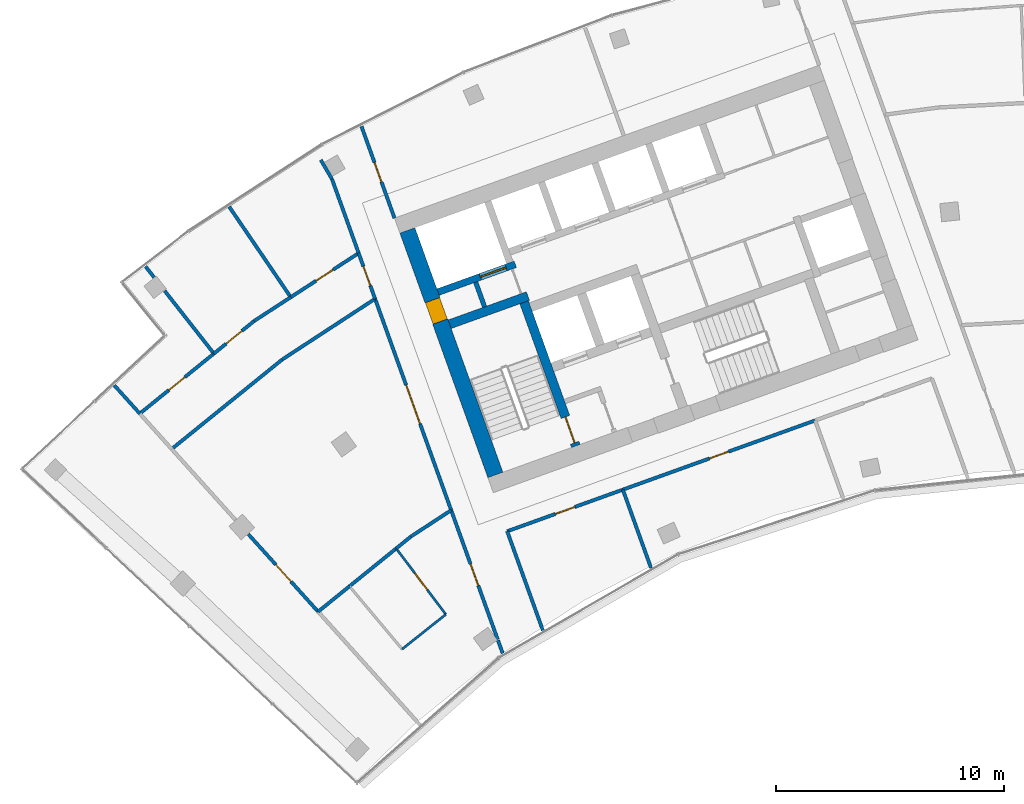
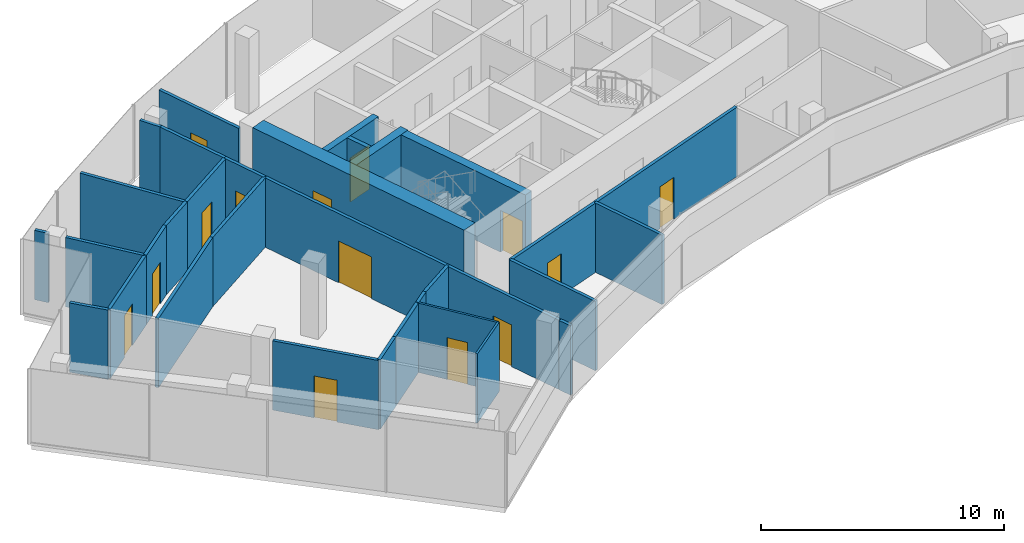
# One storey, part 12 of 18: 33 walls, 14 doors, 14 openings.
"""IFC4 building model written with IfcOpenShell, lengths in metres."""

from ifc_helpers import new_model, si_unit, direction, frame, frame_2d, origin, place, context, subcontext, project, spatial, rectangle, extrude, material, layer, layer_set, type_object, element, fill, save


model = new_model("IFC4")

# Units and contexts
model_context = context("Model", 3, precision=1e-05, world=origin(), true_north=direction((0.0, 1.0)))
body_context = subcontext(model_context, "Body", "Model", "MODEL_VIEW")
ifc_project = project(units=[si_unit("LENGTHUNIT", "METRE"), si_unit("AREAUNIT", "SQUARE_METRE"), si_unit("VOLUMEUNIT", "CUBIC_METRE"), si_unit("PLANEANGLEUNIT", "RADIAN"), si_unit("MASSUNIT", "GRAM", prefix="KILO")], contexts=[model_context])

# Site, building, storey
site_placement = place(None, origin())
site = spatial("IfcSite", under=ifc_project, at=site_placement, CompositionType="ELEMENT")
building_placement = place(site_placement, origin())
building = spatial("IfcBuilding", under=site, at=building_placement, Name="Stone Belt Terrace Tower", CompositionType="ELEMENT")
storey_placement = place(building_placement, frame((0.0, 0.0, 265.60009765625)))
storey = spatial("IfcBuildingStorey", under=building, at=storey_placement, Name="L64", CompositionType="ELEMENT", Elevation=265.60009765625)

# Wall, opening, door
ifc_material_1 = material(Name="Concrete B60", Category="concrete")
ifc_layer_1 = layer(ifc_material_1, 0.699951171875)
ifc_layer_set_1 = layer_set([ifc_layer_1], Name="Core wall 700 B60")
wall_type_1 = type_object("IfcWallType", Name="Core wall 700 B60", PredefinedType="SHEAR", material=ifc_layer_set_1)
wall_1_placement = place(storey_placement, frame((-25.679931640625, 43.153564453125, 0.0), z_axis=(0.0, 0.0, 1.0), x_axis=(-0.338625431531, 0.940921259788, 0.0)))
wall_1 = element("IfcWall", 1, at=wall_1_placement, inside=storey, type_object=wall_type_1, Name="Core A wall end_a L64", PredefinedType="SHEAR", context=body_context, shape_type="SweptSolid", body=[
    extrude(rectangle(XDim=11.400146484375, YDim=0.699951171875, at=frame_2d((5.7001953125, 0.0))), origin(), (0.0, 0.0, 1.0), 3.7998046875),
])
opening_1_placement = place(wall_1_placement, frame((7.14990234375, 0.0, 0.0)))
opening_1 = element("IfcOpeningElement", 2, at=opening_1_placement, cuts=wall_1, Name="Opening L64-C06", PredefinedType="OPENING", context=body_context, shape_type="SweptSolid", body=[
    extrude(rectangle(XDim=1.0, YDim=2.10009765625, at=frame_2d((0.5, 1.050048828125))), frame((0.0, 0.35986328125, 0.0), z_axis=(0.0, -1.0, 0.0), x_axis=(1.0, 0.0, 0.0)), (0.0, 0.0, 1.0), 0.719970703125),
])
ifc_material_2 = material(Name="Timber door leaf", Category="wood")
door_type_1 = type_object("IfcDoorType", Name="Core room door 1000", OperationType="SINGLE_SWING_LEFT", PredefinedType="DOOR", material=ifc_material_2)
door_1_placement = place(opening_1_placement, origin())
door_1 = element("IfcDoor", 3, at=door_1_placement, inside=storey, type_object=door_type_1, Name="Door to Telecommunications riser room core A", OperationType="SINGLE_SWING_RIGHT", OverallHeight=2.10009765625, OverallWidth=1.0, PredefinedType="DOOR", context=body_context, shape_type="SweptSolid", body=[
    extrude(rectangle(XDim=1.0, YDim=2.10009765625, at=frame_2d((0.5, 1.050048828125))), frame((0.0, 0.330078125, 0.0), z_axis=(0.0, -1.0, 0.0), x_axis=(1.0, 0.0, 0.0)), (0.0, 0.0, 1.0), 0.659912109375),
])
fill(opening_1, door_1)

ifc_material_3 = material(Name="Concrete B80", Category="concrete")
ifc_layer_2 = layer(ifc_material_3, 0.300048828125)
ifc_layer_set_2 = layer_set([ifc_layer_2], Name="Lift shaft wall 300")
wall_type_2 = type_object("IfcWallType", Name="Lift shaft wall 300", PredefinedType="SHEAR", material=ifc_layer_set_2)
wall_2_placement = place(storey_placement, frame((-28.195068359375, 51.17578125, 0.0), z_axis=(0.0, 0.0, 1.0), x_axis=(0.940901243567, 0.338681044427, 0.0)))
wall_2 = element("IfcWall", 4, at=wall_2_placement, inside=storey, type_object=wall_type_2, Name="Core A wall", PredefinedType="SHEAR", context=body_context, shape_type="SweptSolid", body=[
    extrude(rectangle(XDim=3.599853515625, YDim=0.300048828125, at=frame_2d((1.7998046875, 0.0))), origin(), (0.0, 0.0, 1.0), 3.47998046875),
])
opening_2_placement = place(wall_2_placement, frame((1.969970703125, 0.0, 0.0)))
opening_2 = element("IfcOpeningElement", 5, at=opening_2_placement, cuts=wall_2, Name="Opening L64-LD07", PredefinedType="OPENING", context=body_context, shape_type="SweptSolid", body=[
    extrude(rectangle(XDim=1.199951171875, YDim=2.199951171875, at=frame_2d((0.60009765625, 1.10009765625))), frame((0.0, 0.159912109375, 0.0), z_axis=(0.0, -1.0, 0.0), x_axis=(1.0, 0.0, 0.0)), (0.0, 0.0, 1.0), 0.320068359375),
])
ifc_material_4 = material(Name="Stainless steel door leaf", Category="steel")
door_type_2 = type_object("IfcDoorType", Name="Landing door 1200", OperationType="SLIDING_TO_LEFT", PredefinedType="DOOR", material=ifc_material_4)
door_2_placement = place(opening_2_placement, origin())
door_2 = element("IfcDoor", 6, at=door_2_placement, inside=storey, type_object=door_type_2, Name="Landing door SV1 core A", OperationType="SLIDING_TO_LEFT", OverallHeight=2.199951171875, OverallWidth=1.199951171875, PredefinedType="DOOR", context=body_context, shape_type="SweptSolid", body=[
    extrude(rectangle(XDim=1.199951171875, YDim=2.199951171875, at=frame_2d((0.60009765625, 1.10009765625))), frame((0.0, 0.02490234375, 0.0), z_axis=(0.0, -1.0, 0.0), x_axis=(1.0, 0.0, 0.0)), (0.0, 0.0, 1.0), 0.050048828125),
])
fill(opening_2, door_2)

# Wall
ifc_material_5 = material(Name="Gypsum board partition")
ifc_layer_3 = layer(ifc_material_5, 0.10009765625)
ifc_layer_set_3 = layer_set([ifc_layer_3], Name="PARTITION 100")
wall_type_3 = type_object("IfcWallType", Name="PARTITION 100", PredefinedType="PARTITIONING", material=ifc_layer_set_3)
wall_3_placement = place(storey_placement, frame((-29.77197265625, 35.513916015625, 0.0), z_axis=(0.0, 0.0, 1.0), x_axis=(0.782936572479, 0.622101537914, 0.0)))
element("IfcWall", 7, at=wall_3_placement, inside=storey, type_object=wall_type_3, Name="L64/wall/i048", PredefinedType="PARTITIONING", context=body_context, shape_type="SweptSolid", body=[
    extrude(rectangle(XDim=2.448486328125, YDim=0.10009765625, at=frame_2d((1.22412109375, 0.0))), origin(), (0.0, 0.0, 1.0), 3.47998046875),
])

# Wall, opening, door
wall_4_placement = place(storey_placement, frame((-27.85498046875, 37.037109375, 0.0), z_axis=(0.0, 0.0, 1.0), x_axis=(-0.601304714061, 0.799019800035, 0.0)))
wall_4 = element("IfcWall", 8, at=wall_4_placement, inside=storey, type_object=wall_type_3, Name="L64/wall/i049", PredefinedType="PARTITIONING", context=body_context, shape_type="SweptSolid", body=[
    extrude(rectangle(XDim=3.620361328125, YDim=0.10009765625, at=frame_2d((1.81005859375, 0.0))), origin(), (0.0, 0.0, 1.0), 3.47998046875),
])
opening_3_placement = place(wall_4_placement, frame((1.3603515625, 0.0, 0.0)))
opening_3 = element("IfcOpeningElement", 9, at=opening_3_placement, cuts=wall_4, Name="Opening D-E1-13", PredefinedType="OPENING", context=body_context, shape_type="SweptSolid", body=[
    extrude(rectangle(XDim=0.89990234375, YDim=2.10009765625, at=frame_2d((0.449951171875, 1.050048828125))), frame((0.0, 0.06005859375, 0.0), z_axis=(0.0, -1.0, 0.0), x_axis=(1.0, 0.0, 0.0)), (0.0, 0.0, 1.0), 0.1201171875),
])
door_type_3 = type_object("IfcDoorType", Name="OFFICE DOOR 900 X 2100", OperationType="NOTDEFINED", PredefinedType="DOOR", material=ifc_material_2)
door_3_placement = place(opening_3_placement, origin())
door_3 = element("IfcDoor", 10, at=door_3_placement, inside=storey, type_object=door_type_3, Name="L64/door/i13", OperationType="SINGLE_SWING_RIGHT", OverallHeight=2.10009765625, OverallWidth=0.89990234375, PredefinedType="DOOR", context=body_context, shape_type="SweptSolid", body=[
    extrude(rectangle(XDim=0.89990234375, YDim=2.10009765625, at=frame_2d((0.449951171875, 1.050048828125))), frame((0.0, 0.02490234375, 0.0), z_axis=(0.0, -1.0, 0.0), x_axis=(1.0, 0.0, 0.0)), (0.0, 0.0, 1.0), 0.050048828125),
])
fill(opening_3, door_3)

# Wall
ifc_layer_4 = layer(ifc_material_5, 0.14990234375)
ifc_layer_set_4 = layer_set([ifc_layer_4], Name="PARTITION 150 EI 60")
wall_type_4 = type_object("IfcWallType", Name="PARTITION 150 EI 60", PredefinedType="PARTITIONING", material=ifc_layer_set_4)
wall_5_placement = place(storey_placement, frame((-25.1650390625, 40.68896484375, 0.0), z_axis=(0.0, 0.0, 1.0), x_axis=(0.338672803798, -0.940904209773, 0.0)))
element("IfcWall", 11, at=wall_5_placement, inside=storey, type_object=wall_type_4, Name="L64/wall/i001", PredefinedType="PARTITIONING", context=body_context, shape_type="SweptSolid", body=[
    extrude(rectangle(XDim=4.631591796875, YDim=0.14990234375, at=frame_2d((2.31591796875, 0.0))), origin(), (0.0, 0.0, 1.0), 3.47998046875),
])

# Wall, opening, door
wall_6_placement = place(storey_placement, frame((-31.556884765625, 58.451171875, 0.0), z_axis=(0.0, 0.0, 1.0), x_axis=(0.338725523051, -0.940885232127, 0.0)))
wall_6 = element("IfcWall", 12, at=wall_6_placement, inside=storey, type_object=wall_type_4, Name="L64/wall/i002", PredefinedType="PARTITIONING", context=body_context, shape_type="SweptSolid", body=[
    extrude(rectangle(XDim=4.283447265625, YDim=0.14990234375, at=frame_2d((2.1416015625, 0.0))), origin(), (0.0, 0.0, 1.0), 3.47998046875),
])
opening_4_placement = place(wall_6_placement, frame((1.691650390625, 0.0, 0.0)))
opening_4 = element("IfcOpeningElement", 13, at=opening_4_placement, cuts=wall_6, Name="Opening D-E1-04", PredefinedType="OPENING", context=body_context, shape_type="SweptSolid", body=[
    extrude(rectangle(XDim=0.89990234375, YDim=2.10009765625, at=frame_2d((0.449951171875, 1.050048828125))), frame((0.0, 0.0849609375, 0.0), z_axis=(0.0, -1.0, 0.0), x_axis=(1.0, 0.0, 0.0)), (0.0, 0.0, 1.0), 0.169921875),
])
door_4_placement = place(opening_4_placement, origin())
door_4 = element("IfcDoor", 14, at=door_4_placement, inside=storey, type_object=door_type_3, Name="L64/door/i04", OperationType="SINGLE_SWING_RIGHT", OverallHeight=2.10009765625, OverallWidth=0.89990234375, PredefinedType="DOOR", context=body_context, shape_type="SweptSolid", body=[
    extrude(rectangle(XDim=0.89990234375, YDim=2.10009765625, at=frame_2d((0.449951171875, 1.050048828125))), frame((0.0, 0.02490234375, 0.0), z_axis=(0.0, -1.0, 0.0), x_axis=(1.0, 0.0, 0.0)), (0.0, 0.0, 1.0), 0.050048828125),
])
fill(opening_4, door_4)

# Wall
wall_7_placement = place(storey_placement, frame((-25.361083984375, 35.330810546875, 0.0), z_axis=(0.0, 0.0, 1.0), x_axis=(-0.338533716033, 0.940954261964, 0.0)))
element("IfcWall", 15, at=wall_7_placement, inside=storey, type_object=wall_type_4, Name="L64/wall/i003", PredefinedType="PARTITIONING", context=body_context, shape_type="SweptSolid", body=[
    extrude(rectangle(XDim=0.60498046875, YDim=0.14990234375, at=frame_2d((0.302490234375, 0.0))), origin(), (0.0, 0.0, 1.0), 3.47998046875),
])

# Wall, opening, door
wall_8_placement = place(storey_placement, frame((-25.580322265625, 35.93994140625, 0.0), z_axis=(0.0, 0.0, 1.0), x_axis=(-0.338636303074, 0.940917347188, 0.0)))
wall_8 = element("IfcWall", 16, at=wall_8_placement, inside=storey, type_object=wall_type_4, Name="L64/wall/i004", PredefinedType="PARTITIONING", context=body_context, shape_type="SweptSolid", body=[
    extrude(rectangle(XDim=6.029296875, YDim=0.14990234375, at=frame_2d((3.0146484375, 0.0))), origin(), (0.0, 0.0, 1.0), 3.47998046875),
])
opening_5_placement = place(wall_8_placement, frame((2.5146484375, 0.0, 0.0)))
opening_5 = element("IfcOpeningElement", 17, at=opening_5_placement, cuts=wall_8, Name="Opening D-E1-12", PredefinedType="OPENING", context=body_context, shape_type="SweptSolid", body=[
    extrude(rectangle(XDim=1.0, YDim=2.10009765625, at=frame_2d((0.5, 1.050048828125))), frame((0.0, 0.0849609375, 0.0), z_axis=(0.0, -1.0, 0.0), x_axis=(1.0, 0.0, 0.0)), (0.0, 0.0, 1.0), 0.169921875),
])
ifc_material_6 = material(Name="Timber fire door leaf", Category="wood")
door_type_4 = type_object("IfcDoorType", Name="TENANCY ENTRANCE DOOR 1000 X 2100", OperationType="NOTDEFINED", PredefinedType="DOOR", material=ifc_material_6)
door_5_placement = place(opening_5_placement, origin())
door_5 = element("IfcDoor", 18, at=door_5_placement, inside=storey, type_object=door_type_4, Name="L64/door/i12", OperationType="SINGLE_SWING_RIGHT", OverallHeight=2.10009765625, OverallWidth=1.0, PredefinedType="DOOR", context=body_context, shape_type="SweptSolid", body=[
    extrude(rectangle(XDim=1.0, YDim=2.10009765625, at=frame_2d((0.5, 1.050048828125))), frame((0.0, 0.02490234375, 0.0), z_axis=(0.0, -1.0, 0.0), x_axis=(1.0, 0.0, 0.0)), (0.0, 0.0, 1.0), 0.050048828125),
])
fill(opening_5, door_5)

wall_9_placement = place(storey_placement, frame((-30.9560546875, 50.8740234375, 0.0), z_axis=(0.0, 0.0, 1.0), x_axis=(-0.338364310081, 0.94101519311, 0.0)))
wall_9 = element("IfcWall", 19, at=wall_9_placement, inside=storey, type_object=wall_type_4, Name="L64/wall/i005", PredefinedType="PARTITIONING", context=body_context, shape_type="SweptSolid", body=[
    extrude(rectangle(XDim=2.142333984375, YDim=0.14990234375, at=frame_2d((1.0712890625, 0.0))), origin(), (0.0, 0.0, 1.0), 3.47998046875),
])
opening_6_placement = place(wall_9_placement, frame((0.62109375, 0.0, 0.0)))
opening_6 = element("IfcOpeningElement", 20, at=opening_6_placement, cuts=wall_9, Name="Opening D-E1-14", PredefinedType="OPENING", context=body_context, shape_type="SweptSolid", body=[
    extrude(rectangle(XDim=0.89990234375, YDim=2.10009765625, at=frame_2d((0.449951171875, 1.050048828125))), frame((0.0, 0.0849609375, 0.0), z_axis=(0.0, -1.0, 0.0), x_axis=(1.0, 0.0, 0.0)), (0.0, 0.0, 1.0), 0.169921875),
])
door_6_placement = place(opening_6_placement, origin())
door_6 = element("IfcDoor", 21, at=door_6_placement, inside=storey, type_object=door_type_3, Name="L64/door/i14", OperationType="SINGLE_SWING_RIGHT", OverallHeight=2.10009765625, OverallWidth=0.89990234375, PredefinedType="DOOR", context=body_context, shape_type="SweptSolid", body=[
    extrude(rectangle(XDim=0.89990234375, YDim=2.10009765625, at=frame_2d((0.449951171875, 1.050048828125))), frame((0.0, 0.02490234375, 0.0), z_axis=(0.0, -1.0, 0.0), x_axis=(1.0, 0.0, 0.0)), (0.0, 0.0, 1.0), 0.050048828125),
])
fill(opening_6, door_6)

# Walls
wall_10_placement = place(storey_placement, frame((-31.677001953125, 52.8779296875, 0.0), z_axis=(0.0, 0.0, 1.0), x_axis=(-0.338749400417, 0.940876635759, 0.0)))
element("IfcWall", 22, at=wall_10_placement, inside=storey, type_object=wall_type_4, Name="L64/wall/i006", PredefinedType="PARTITIONING", context=body_context, shape_type="SweptSolid", body=[
    extrude(rectangle(XDim=3.4658203125, YDim=0.14990234375, at=frame_2d((1.73291015625, 0.0))), origin(), (0.0, 0.0, 1.0), 3.47998046875),
])
wall_11_placement = place(storey_placement, frame((-32.85107421875, 56.138916015625, 0.0), z_axis=(0.0, 0.0, 1.0), x_axis=(-0.505505320148, 0.862823487917, 0.0)))
element("IfcWall", 23, at=wall_11_placement, inside=storey, type_object=wall_type_4, Name="L64/wall/i007", PredefinedType="PARTITIONING", context=body_context, shape_type="SweptSolid", body=[
    extrude(rectangle(XDim=0.96533203125, YDim=0.14990234375, at=frame_2d((0.482666015625, 0.0))), origin(), (0.0, 0.0, 1.0), 3.47998046875),
])

# Wall, opening, door
wall_12_placement = place(storey_placement, frame((-27.617919921875, 41.60107421875, 0.0), z_axis=(0.0, 0.0, 1.0), x_axis=(-0.338672159599, 0.940904441648, 0.0)))
wall_12 = element("IfcWall", 24, at=wall_12_placement, inside=storey, type_object=wall_type_4, Name="L64/wall/i008", PredefinedType="PARTITIONING", context=body_context, shape_type="SweptSolid", body=[
    extrude(rectangle(XDim=9.8681640625, YDim=0.14990234375, at=frame_2d((4.93408203125, 0.0))), origin(), (0.0, 0.0, 1.0), 3.47998046875),
])
opening_7_placement = place(wall_12_placement, frame((4.0341796875, 0.0, 0.0)))
opening_7 = element("IfcOpeningElement", 25, at=opening_7_placement, cuts=wall_12, Name="Opening D-E1-18", PredefinedType="OPENING", context=body_context, shape_type="SweptSolid", body=[
    extrude(rectangle(XDim=1.800048828125, YDim=2.10009765625, at=frame_2d((0.89990234375, 1.050048828125))), frame((0.0, 0.0849609375, 0.0), z_axis=(0.0, -1.0, 0.0), x_axis=(1.0, 0.0, 0.0)), (0.0, 0.0, 1.0), 0.169921875),
])
door_type_5 = type_object("IfcDoorType", Name="DOUBLE DOOR 1800 X 2100", OperationType="DOUBLE_DOOR_SINGLE_SWING", PredefinedType="DOOR", material=ifc_material_2)
door_7_placement = place(opening_7_placement, origin())
door_7 = element("IfcDoor", 26, at=door_7_placement, inside=storey, type_object=door_type_5, Name="L64/door/i18", OperationType="DOUBLE_DOOR_SINGLE_SWING", OverallHeight=2.10009765625, OverallWidth=1.800048828125, PredefinedType="DOOR", context=body_context, shape_type="SweptSolid", body=[
    extrude(rectangle(XDim=1.800048828125, YDim=2.10009765625, at=frame_2d((0.89990234375, 1.050048828125))), frame((0.0, 0.02490234375, 0.0), z_axis=(0.0, -1.0, 0.0), x_axis=(1.0, 0.0, 0.0)), (0.0, 0.0, 1.0), 0.050048828125),
])
fill(opening_7, door_7)

wall_13_placement = place(storey_placement, frame((-20.0830078125, 42.510986328125, 0.0), z_axis=(0.0, 0.0, 1.0), x_axis=(-0.940943315894, -0.338564139086, 0.0)))
wall_13 = element("IfcWall", 27, at=wall_13_placement, inside=storey, type_object=wall_type_4, Name="L64/wall/i016", PredefinedType="PARTITIONING", context=body_context, shape_type="SweptSolid", body=[
    extrude(rectangle(XDim=5.39892578125, YDim=0.14990234375, at=frame_2d((2.699462890625, 0.0))), origin(), (0.0, 0.0, 1.0), 3.47998046875),
])
opening_8_placement = place(wall_13_placement, frame((2.24951171875, 0.0, 0.0)))
opening_8 = element("IfcOpeningElement", 28, at=opening_8_placement, cuts=wall_13, Name="Opening D-E1-01", PredefinedType="OPENING", context=body_context, shape_type="SweptSolid", body=[
    extrude(rectangle(XDim=0.89990234375, YDim=2.10009765625, at=frame_2d((0.449951171875, 1.050048828125))), frame((0.0, 0.0849609375, 0.0), z_axis=(0.0, -1.0, 0.0), x_axis=(1.0, 0.0, 0.0)), (0.0, 0.0, 1.0), 0.169921875),
])
door_8_placement = place(opening_8_placement, origin())
door_8 = element("IfcDoor", 29, at=door_8_placement, inside=storey, type_object=door_type_3, Name="L64/door/i01", OperationType="SINGLE_SWING_RIGHT", OverallHeight=2.10009765625, OverallWidth=0.89990234375, PredefinedType="DOOR", context=body_context, shape_type="SweptSolid", body=[
    extrude(rectangle(XDim=0.89990234375, YDim=2.10009765625, at=frame_2d((0.449951171875, 1.050048828125))), frame((0.0, 0.02490234375, 0.0), z_axis=(0.0, -1.0, 0.0), x_axis=(1.0, 0.0, 0.0)), (0.0, 0.0, 1.0), 0.050048828125),
])
fill(opening_8, door_8)

wall_14_placement = place(storey_placement, frame((-11.64892578125, 45.547119140625, 0.0), z_axis=(0.0, 0.0, 1.0), x_axis=(-0.940906479628, -0.338666497596, 0.0)))
wall_14 = element("IfcWall", 30, at=wall_14_placement, inside=storey, type_object=wall_type_4, Name="L64/wall/i017", PredefinedType="PARTITIONING", context=body_context, shape_type="SweptSolid", body=[
    extrude(rectangle(XDim=8.9765625, YDim=0.14990234375, at=frame_2d((4.48828125, 0.0))), origin(), (0.0, 0.0, 1.0), 3.47998046875),
])
opening_9_placement = place(wall_14_placement, frame((4.038330078125, 0.0, 0.0)))
opening_9 = element("IfcOpeningElement", 31, at=opening_9_placement, cuts=wall_14, Name="Opening D-E1-02", PredefinedType="OPENING", context=body_context, shape_type="SweptSolid", body=[
    extrude(rectangle(XDim=0.89990234375, YDim=2.10009765625, at=frame_2d((0.449951171875, 1.050048828125))), frame((0.0, 0.0849609375, 0.0), z_axis=(0.0, -1.0, 0.0), x_axis=(1.0, 0.0, 0.0)), (0.0, 0.0, 1.0), 0.169921875),
])
door_9_placement = place(opening_9_placement, origin())
door_9 = element("IfcDoor", 32, at=door_9_placement, inside=storey, type_object=door_type_3, Name="L64/door/i02", OperationType="SINGLE_SWING_RIGHT", OverallHeight=2.10009765625, OverallWidth=0.89990234375, PredefinedType="DOOR", context=body_context, shape_type="SweptSolid", body=[
    extrude(rectangle(XDim=0.89990234375, YDim=2.10009765625, at=frame_2d((0.449951171875, 1.050048828125))), frame((0.0, 0.02490234375, 0.0), z_axis=(0.0, -1.0, 0.0), x_axis=(1.0, 0.0, 0.0)), (0.0, 0.0, 1.0), 0.050048828125),
])
fill(opening_9, door_9)

# Walls
wall_15_placement = place(storey_placement, frame((-20.089111328125, 42.509033203125, 0.0), z_axis=(0.0, 0.0, 1.0), x_axis=(0.338565699627, -0.940942754389, 0.0)))
element("IfcWall", 33, at=wall_15_placement, inside=storey, type_object=wall_type_4, Name="L64/wall/i019", PredefinedType="PARTITIONING", context=body_context, shape_type="SweptSolid", body=[
    extrude(rectangle(XDim=3.654541015625, YDim=0.14990234375, at=frame_2d((1.8271484375, 0.0))), origin(), (0.0, 0.0, 1.0), 3.47998046875),
])
wall_16_placement = place(storey_placement, frame((-42.39892578125, 47.08837890625, 0.0), z_axis=(0.0, 0.0, 1.0), x_axis=(0.669149398275, -0.74312790473, 0.0)))
element("IfcWall", 34, at=wall_16_placement, inside=storey, type_object=wall_type_4, Name="L64/wall/i044", PredefinedType="PARTITIONING", context=body_context, shape_type="SweptSolid", body=[
    extrude(rectangle(XDim=1.6796875, YDim=0.14990234375, at=frame_2d((0.83984375, 0.0))), origin(), (0.0, 0.0, 1.0), 3.47998046875),
])

# Wall, opening, door
wall_17_placement = place(storey_placement, frame((-33.452880859375, 37.152099609375, 0.0), z_axis=(0.0, 0.0, 1.0), x_axis=(-0.669112093369, 0.74316149423, 0.0)))
wall_17 = element("IfcWall", 35, at=wall_17_placement, inside=storey, type_object=wall_type_4, Name="L64/wall/i046", PredefinedType="PARTITIONING", context=body_context, shape_type="SweptSolid", body=[
    extrude(rectangle(XDim=4.576171875, YDim=0.14990234375, at=frame_2d((2.2880859375, 0.0))), origin(), (0.0, 0.0, 1.0), 3.47998046875),
])
opening_10_placement = place(wall_17_placement, frame((1.7880859375, 0.0, 0.0)))
opening_10 = element("IfcOpeningElement", 36, at=opening_10_placement, cuts=wall_17, Name="Opening D-E1-11", PredefinedType="OPENING", context=body_context, shape_type="SweptSolid", body=[
    extrude(rectangle(XDim=1.0, YDim=2.10009765625, at=frame_2d((0.5, 1.050048828125))), frame((0.0, 0.0849609375, 0.0), z_axis=(0.0, -1.0, 0.0), x_axis=(1.0, 0.0, 0.0)), (0.0, 0.0, 1.0), 0.169921875),
])
door_10_placement = place(opening_10_placement, origin())
door_10 = element("IfcDoor", 37, at=door_10_placement, inside=storey, type_object=door_type_4, Name="L64/door/i11", OperationType="SINGLE_SWING_RIGHT", OverallHeight=2.10009765625, OverallWidth=1.0, PredefinedType="DOOR", context=body_context, shape_type="SweptSolid", body=[
    extrude(rectangle(XDim=1.0, YDim=2.10009765625, at=frame_2d((0.5, 1.050048828125))), frame((0.0, 0.02490234375, 0.0), z_axis=(0.0, -1.0, 0.0), x_axis=(1.0, 0.0, 0.0)), (0.0, 0.0, 1.0), 0.050048828125),
])
fill(opening_10, door_10)

# Walls
wall_18_placement = place(storey_placement, frame((-33.45703125, 37.156982421875, 0.0), z_axis=(0.0, 0.0, 1.0), x_axis=(0.777260939876, 0.629178378, 0.0)))
element("IfcWall", 38, at=wall_18_placement, inside=storey, type_object=wall_type_4, Name="L64/wall/i050", PredefinedType="PARTITIONING", context=body_context, shape_type="SweptSolid", body=[
    extrude(rectangle(XDim=1.76904296875, YDim=0.14990234375, at=frame_2d((0.884521484375, 0.0))), origin(), (0.0, 0.0, 1.0), 3.47998046875),
])
wall_19_placement = place(storey_placement, frame((-30.031982421875, 39.929931640625, 0.0), z_axis=(0.0, 0.0, 1.0), x_axis=(0.776997505944, 0.62950367414, 0.0)))
element("IfcWall", 39, at=wall_19_placement, inside=storey, type_object=wall_type_4, Name="L64/wall/i051", PredefinedType="PARTITIONING", context=body_context, shape_type="SweptSolid", body=[
    extrude(rectangle(XDim=0.82763671875, YDim=0.14990234375, at=frame_2d((0.413818359375, 0.0))), origin(), (0.0, 0.0, 1.0), 3.47998046875),
])
wall_20_placement = place(storey_placement, frame((-29.388916015625, 40.450927734375, 0.0), z_axis=(0.0, 0.0, 1.0), x_axis=(0.837081543775, 0.547078137995, 0.0)))
element("IfcWall", 40, at=wall_20_placement, inside=storey, type_object=wall_type_4, Name="L64/wall/i052", PredefinedType="PARTITIONING", context=body_context, shape_type="SweptSolid", body=[
    extrude(rectangle(XDim=2.113037109375, YDim=0.14990234375, at=frame_2d((1.056640625, 0.0))), origin(), (0.0, 0.0, 1.0), 3.47998046875),
])
wall_21_placement = place(storey_placement, frame((-32.08203125, 38.27001953125, 0.0), z_axis=(0.0, 0.0, 1.0), x_axis=(0.777180205234, 0.629278101154, 0.0)))
element("IfcWall", 41, at=wall_21_placement, inside=storey, type_object=wall_type_4, Name="L64/wall/i053", PredefinedType="PARTITIONING", context=body_context, shape_type="SweptSolid", body=[
    extrude(rectangle(XDim=2.6376953125, YDim=0.14990234375, at=frame_2d((1.31884765625, 0.0))), origin(), (0.0, 0.0, 1.0), 3.47998046875),
])

# Wall, opening, door
wall_22_placement = place(storey_placement, frame((-41.279052734375, 45.844970703125, 0.0), z_axis=(0.0, 0.0, 1.0), x_axis=(0.777120018263, 0.629352426877, 0.0)))
wall_22 = element("IfcWall", 42, at=wall_22_placement, inside=storey, type_object=wall_type_4, Name="L64/wall/i054", PredefinedType="PARTITIONING", context=body_context, shape_type="SweptSolid", body=[
    extrude(rectangle(XDim=4.18994140625, YDim=0.14990234375, at=frame_2d((2.094970703125, 0.0))), origin(), (0.0, 0.0, 1.0), 3.47998046875),
])
opening_11_placement = place(wall_22_placement, frame((1.64501953125, 0.0, 0.0)))
opening_11 = element("IfcOpeningElement", 43, at=opening_11_placement, cuts=wall_22, Name="Opening D-E1-15", PredefinedType="OPENING", context=body_context, shape_type="SweptSolid", body=[
    extrude(rectangle(XDim=0.89990234375, YDim=2.10009765625, at=frame_2d((0.449951171875, 1.050048828125))), frame((0.0, 0.0849609375, 0.0), z_axis=(0.0, -1.0, 0.0), x_axis=(1.0, 0.0, 0.0)), (0.0, 0.0, 1.0), 0.169921875),
])
door_11_placement = place(opening_11_placement, origin())
door_11 = element("IfcDoor", 44, at=door_11_placement, inside=storey, type_object=door_type_3, Name="L64/door/i15", OperationType="SINGLE_SWING_RIGHT", OverallHeight=2.10009765625, OverallWidth=0.89990234375, PredefinedType="DOOR", context=body_context, shape_type="SweptSolid", body=[
    extrude(rectangle(XDim=0.89990234375, YDim=2.10009765625, at=frame_2d((0.449951171875, 1.050048828125))), frame((0.0, 0.02490234375, 0.0), z_axis=(0.0, -1.0, 0.0), x_axis=(1.0, 0.0, 0.0)), (0.0, 0.0, 1.0), 0.050048828125),
])
fill(opening_11, door_11)

wall_23_placement = place(storey_placement, frame((-38.031982421875, 48.47412109375, 0.0), z_axis=(0.0, 0.0, 1.0), x_axis=(0.776997863972, 0.629503232226, 0.0)))
wall_23 = element("IfcWall", 45, at=wall_23_placement, inside=storey, type_object=wall_type_4, Name="L64/wall/i055", PredefinedType="PARTITIONING", context=body_context, shape_type="SweptSolid", body=[
    extrude(rectangle(XDim=2.279296875, YDim=0.14990234375, at=frame_2d((1.1396484375, 0.0))), origin(), (0.0, 0.0, 1.0), 3.47998046875),
])
opening_12_placement = place(wall_23_placement, frame((0.689697265625, 0.0, 0.0)))
opening_12 = element("IfcOpeningElement", 46, at=opening_12_placement, cuts=wall_23, Name="Opening D-E1-16", PredefinedType="OPENING", context=body_context, shape_type="SweptSolid", body=[
    extrude(rectangle(XDim=0.89990234375, YDim=2.10009765625, at=frame_2d((0.449951171875, 1.050048828125))), frame((0.0, 0.0849609375, 0.0), z_axis=(0.0, -1.0, 0.0), x_axis=(1.0, 0.0, 0.0)), (0.0, 0.0, 1.0), 0.169921875),
])
door_12_placement = place(opening_12_placement, origin())
door_12 = element("IfcDoor", 47, at=door_12_placement, inside=storey, type_object=door_type_3, Name="L64/door/i16", OperationType="SINGLE_SWING_RIGHT", OverallHeight=2.10009765625, OverallWidth=0.89990234375, PredefinedType="DOOR", context=body_context, shape_type="SweptSolid", body=[
    extrude(rectangle(XDim=0.89990234375, YDim=2.10009765625, at=frame_2d((0.449951171875, 1.050048828125))), frame((0.0, 0.02490234375, 0.0), z_axis=(0.0, -1.0, 0.0), x_axis=(1.0, 0.0, 0.0)), (0.0, 0.0, 1.0), 0.050048828125),
])
fill(opening_12, door_12)

# Wall
wall_24_placement = place(storey_placement, frame((-36.260986328125, 49.908935546875, 0.0), z_axis=(0.0, 0.0, 1.0), x_axis=(0.838588953135, 0.544764690193, 0.0)))
element("IfcWall", 48, at=wall_24_placement, inside=storey, type_object=wall_type_4, Name="L64/wall/i056", PredefinedType="PARTITIONING", context=body_context, shape_type="SweptSolid", body=[
    extrude(rectangle(XDim=1.91845703125, YDim=0.14990234375, at=frame_2d((0.959228515625, 0.0))), origin(), (0.0, 0.0, 1.0), 3.47998046875),
])

# Wall, opening, door
wall_25_placement = place(storey_placement, frame((-34.662109375, 50.947998046875, 0.0), z_axis=(0.0, 0.0, 1.0), x_axis=(0.838830810825, 0.544392203113, 0.0)))
wall_25 = element("IfcWall", 49, at=wall_25_placement, inside=storey, type_object=wall_type_4, Name="L64/wall/i057", PredefinedType="PARTITIONING", context=body_context, shape_type="SweptSolid", body=[
    extrude(rectangle(XDim=3.556396484375, YDim=0.14990234375, at=frame_2d((1.7783203125, 0.0))), origin(), (0.0, 0.0, 1.0), 3.47998046875),
])
opening_13_placement = place(wall_25_placement, frame((1.328125, 0.0, 0.0)))
opening_13 = element("IfcOpeningElement", 50, at=opening_13_placement, cuts=wall_25, Name="Opening D-E1-17", PredefinedType="OPENING", context=body_context, shape_type="SweptSolid", body=[
    extrude(rectangle(XDim=0.89990234375, YDim=2.10009765625, at=frame_2d((0.449951171875, 1.050048828125))), frame((0.0, 0.0849609375, 0.0), z_axis=(0.0, -1.0, 0.0), x_axis=(1.0, 0.0, 0.0)), (0.0, 0.0, 1.0), 0.169921875),
])
door_13_placement = place(opening_13_placement, origin())
door_13 = element("IfcDoor", 51, at=door_13_placement, inside=storey, type_object=door_type_3, Name="L64/door/i17", OperationType="SINGLE_SWING_RIGHT", OverallHeight=2.10009765625, OverallWidth=0.89990234375, PredefinedType="DOOR", context=body_context, shape_type="SweptSolid", body=[
    extrude(rectangle(XDim=0.89990234375, YDim=2.10009765625, at=frame_2d((0.449951171875, 1.050048828125))), frame((0.0, 0.02490234375, 0.0), z_axis=(0.0, -1.0, 0.0), x_axis=(1.0, 0.0, 0.0)), (0.0, 0.0, 1.0), 0.050048828125),
])
fill(opening_13, door_13)

# Walls
wall_26_placement = place(storey_placement, frame((-30.9580078125, 50.8798828125, 0.0), z_axis=(0.0, 0.0, 1.0), x_axis=(-0.837055321155, -0.547118258995, 0.0)))
element("IfcWall", 52, at=wall_26_placement, inside=storey, type_object=wall_type_4, Name="L64/wall/i058", PredefinedType="PARTITIONING", context=body_context, shape_type="SweptSolid", body=[
    extrude(rectangle(XDim=4.866943359375, YDim=0.14990234375, at=frame_2d((2.43359375, 0.0))), origin(), (0.0, 0.0, 1.0), 3.47998046875),
])
wall_27_placement = place(storey_placement, frame((-35.031982421875, 48.217041015625, 0.0), z_axis=(0.0, 0.0, 1.0), x_axis=(-0.777124553354, -0.629346826937, 0.0)))
element("IfcWall", 53, at=wall_27_placement, inside=storey, type_object=wall_type_4, Name="L64/wall/i059", PredefinedType="PARTITIONING", context=body_context, shape_type="SweptSolid", body=[
    extrude(rectangle(XDim=6.23828125, YDim=0.14990234375, at=frame_2d((3.119140625, 0.0))), origin(), (0.0, 0.0, 1.0), 3.47998046875),
])
wall_28_placement = place(storey_placement, frame((-41.03076171875, 52.3056640625, 0.0), z_axis=(0.0, 0.0, 1.0), x_axis=(0.61729067696, -0.786735165185, 0.0)))
element("IfcWall", 54, at=wall_28_placement, inside=storey, type_object=wall_type_4, Name="L64/wall/i060", PredefinedType="PARTITIONING", context=body_context, shape_type="SweptSolid", body=[
    extrude(rectangle(XDim=0.609375, YDim=0.14990234375, at=frame_2d((0.3046875, 0.0))), origin(), (0.0, 0.0, 1.0), 3.47998046875),
])
wall_29_placement = place(storey_placement, frame((-40.185546875, 51.228271484375, 0.0), z_axis=(0.0, 0.0, 1.0), x_axis=(0.617213700374, -0.786795556718, 0.0)))
element("IfcWall", 55, at=wall_29_placement, inside=storey, type_object=wall_type_4, Name="L64/wall/i061", PredefinedType="PARTITIONING", context=body_context, shape_type="SweptSolid", body=[
    extrude(rectangle(XDim=3.49560546875, YDim=0.14990234375, at=frame_2d((1.747802734375, 0.0))), origin(), (0.0, 0.0, 1.0), 3.47998046875),
])
wall_30_placement = place(storey_placement, frame((-37.3583984375, 54.922607421875, 0.0), z_axis=(0.0, 0.0, 1.0), x_axis=(0.56240594474, -0.826861266067, 0.0)))
element("IfcWall", 56, at=wall_30_placement, inside=storey, type_object=wall_type_4, Name="L64/wall/i062", PredefinedType="PARTITIONING", context=body_context, shape_type="SweptSolid", body=[
    extrude(rectangle(XDim=4.80322265625, YDim=0.14990234375, at=frame_2d((2.401611328125, 0.0))), origin(), (0.0, 0.0, 1.0), 3.47998046875),
])
ifc_material_7 = material(Name="Concrete masonry block", Category="masonry")
ifc_layer_5 = layer(ifc_material_7, 0.199951171875)
ifc_layer_set_5 = layer_set([ifc_layer_5], Name="Rated lobby wall 200")
wall_type_5 = type_object("IfcWallType", Name="Rated lobby wall 200", PredefinedType="PARTITIONING", material=ifc_layer_set_5)
wall_31_placement = place(storey_placement, frame((-26.1552734375, 50.5283203125, 0.0), z_axis=(0.0, 0.0, 1.0), x_axis=(-0.338621735342, 0.94092258999, 0.0)))
element("IfcWall", 57, at=wall_31_placement, inside=storey, type_object=wall_type_5, Name="Core A wall", PredefinedType="PARTITIONING", context=body_context, shape_type="SweptSolid", body=[
    extrude(rectangle(XDim=1.14990234375, YDim=0.199951171875, at=frame_2d((0.574951171875, 0.0))), origin(), (0.0, 0.0, 1.0), 3.47998046875),
])
ifc_layer_6 = layer(ifc_material_3, 0.39990234375)
ifc_layer_set_6 = layer_set([ifc_layer_6], Name="Stair enclosure wall 400")
wall_type_6 = type_object("IfcWallType", Name="Stair enclosure wall 400", PredefinedType="SHEAR", material=ifc_layer_set_6)
wall_32_placement = place(storey_placement, frame((-27.687255859375, 49.764404296875, 0.0), z_axis=(0.0, 0.0, 1.0), x_axis=(0.940918954884, 0.338631835981, 0.0)))
element("IfcWall", 58, at=wall_32_placement, inside=storey, type_object=wall_type_6, Name="Core A wall", PredefinedType="SHEAR", context=body_context, shape_type="SweptSolid", body=[
    extrude(rectangle(XDim=3.650146484375, YDim=0.39990234375, at=frame_2d((1.8251953125, 0.0))), origin(), (0.0, 0.0, 1.0), 3.47998046875),
])

# Wall, opening, door
wall_33_placement = place(storey_placement, frame((-22.151611328125, 44.42333984375, 0.0), z_axis=(0.0, 0.0, 1.0), x_axis=(-0.338625272931, 0.940921316866, 0.0)))
wall_33 = element("IfcWall", 59, at=wall_33_placement, inside=storey, type_object=wall_type_6, Name="Core A wall", PredefinedType="SHEAR", context=body_context, shape_type="SweptSolid", body=[
    extrude(rectangle(XDim=6.699951171875, YDim=0.39990234375, at=frame_2d((3.35009765625, 0.0))), origin(), (0.0, 0.0, 1.0), 3.47998046875),
])
opening_14_placement = place(wall_33_placement, frame((0.14990234375, 0.0, 0.0)))
opening_14 = element("IfcOpeningElement", 60, at=opening_14_placement, cuts=wall_33, Name="Opening L64-C10", PredefinedType="OPENING", context=body_context, shape_type="SweptSolid", body=[
    extrude(rectangle(XDim=1.199951171875, YDim=2.10009765625, at=frame_2d((0.60009765625, 1.050048828125))), frame((0.0, 0.2099609375, 0.0), z_axis=(0.0, -1.0, 0.0), x_axis=(1.0, 0.0, 0.0)), (0.0, 0.0, 1.0), 0.419921875),
])
ifc_material_8 = material(Name="Steel door leaf", Category="steel")
door_type_6 = type_object("IfcDoorType", Name="Stair door 1200", OperationType="SINGLE_SWING_LEFT", PredefinedType="DOOR", material=ifc_material_8)
door_14_placement = place(opening_14_placement, origin())
door_14 = element("IfcDoor", 61, at=door_14_placement, inside=storey, type_object=door_type_6, Name="Stair 1 door core A", OperationType="SINGLE_SWING_LEFT", OverallHeight=2.10009765625, OverallWidth=1.199951171875, PredefinedType="DOOR", context=body_context, shape_type="SweptSolid", body=[
    extrude(rectangle(XDim=1.199951171875, YDim=2.10009765625, at=frame_2d((0.60009765625, 1.050048828125))), frame((0.0, 0.02490234375, 0.0), z_axis=(0.0, -1.0, 0.0), x_axis=(1.0, 0.0, 0.0)), (0.0, 0.0, 1.0), 0.050048828125),
])
fill(opening_14, door_14)

save(model, "model.ifc")
